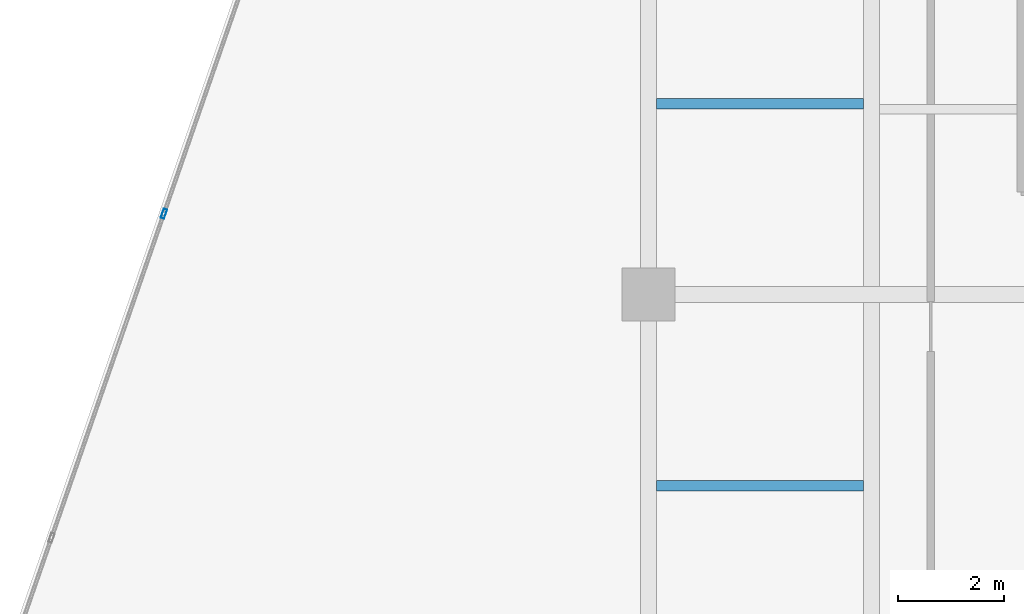
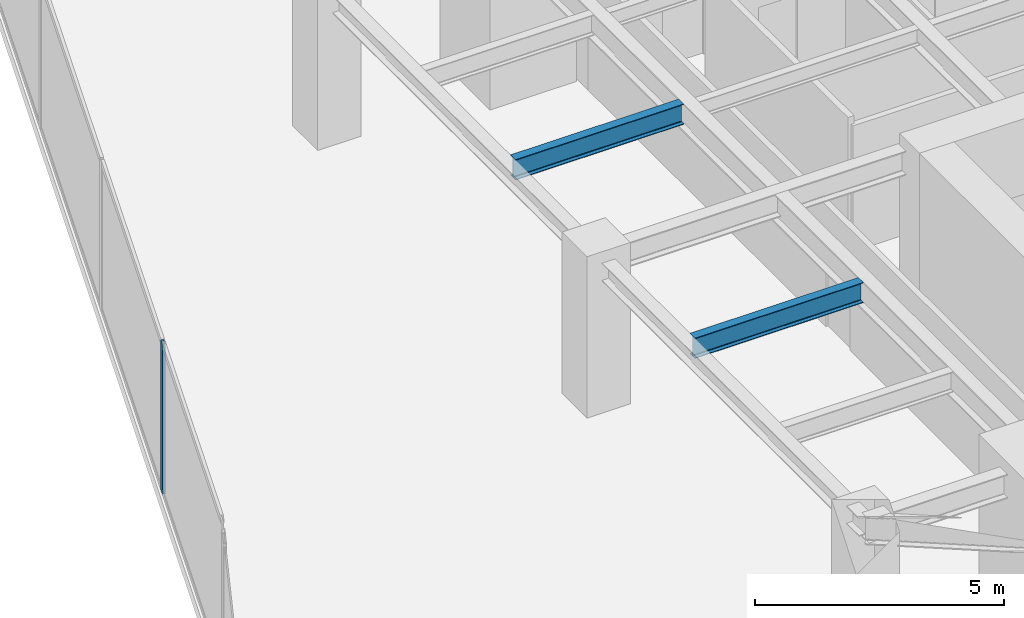
# One storey, part 8 of 27: 2 beams, 1 member, 1 element without a shape of its own.
"""IFC4 building model written with IfcOpenShell, lengths in metres."""

import ifcopenshell
import ifcopenshell.guid

model = None  # the IFC model being written
_history = None  # IfcOwnerHistory: only IFC2X3 demands one
_inside = {}  # id of a spatial element -> (the spatial element, [elements in it])
_under = {}  # id of a project, library or spatial element -> (it, [spatial elements below it])
_declared = {}  # id of a project -> (the project, [libraries it declares])
_typed = {}  # id of a type object -> (the type object, [elements of that type])
_made_of = {}  # id of a material, layer set ... -> (it, [elements and type objects made of it])


def new_model(schema):
    """Start an empty IFC model of exactly this schema.

    Asked for "IFC4X3", IfcOpenShell would pick the latest addendum, in which some entities
    have other attributes; the version numbers below select the first issue.
    IFC2X3 requires an IfcOwnerHistory on every rooted entity: one is made here for all.
    """
    global model, _history
    if schema == "IFC4X3":
        model = ifcopenshell.file(schema_version=(4, 3, 0, 0))
    else:
        model = ifcopenshell.file(schema=schema)
    _inside.clear()
    _under.clear()
    _declared.clear()
    _typed.clear()
    _made_of.clear()
    _history = None
    if model.schema == "IFC2X3":
        org = make("IfcOrganization", Name="unknown")
        user = make(
            "IfcPersonAndOrganization",
            ThePerson=make("IfcPerson", FamilyName="unknown"),
            TheOrganization=org,
        )
        app = make(
            "IfcApplication",
            ApplicationDeveloper=org,
            Version="unknown",
            ApplicationFullName="unknown",
            ApplicationIdentifier="unknown",
        )
        _history = make(
            "IfcOwnerHistory",
            OwningUser=user,
            OwningApplication=app,
            ChangeAction="ADDED",
            CreationDate=0,
        )
    return model


def make(cls, **values):
    """One entity of the class cls with the attributes given. An attribute that is None is left unset."""
    return model.create_entity(
        cls, **{name: value for name, value in values.items() if value is not None}
    )


def rooted(cls, **values):
    """An entity with a GlobalId (a new one), such as an element, a storey or a relation."""
    return make(cls, GlobalId=ifcopenshell.guid.new(), OwnerHistory=_history, **values)


def si_unit(unit_type, name, prefix=None):
    """IfcSIUnit, for example si_unit("LENGTHUNIT", "METRE", prefix="MILLI")."""
    return make("IfcSIUnit", UnitType=unit_type, Prefix=prefix, Name=name)


def assignment(units):
    """IfcUnitAssignment: the units of a project."""
    return None if units is None else make("IfcUnitAssignment", Units=units)


def point(xyz):
    """IfcCartesianPoint."""
    return None if xyz is None else make("IfcCartesianPoint", Coordinates=xyz)


def direction(xyz):
    """IfcDirection."""
    return None if xyz is None else make("IfcDirection", DirectionRatios=xyz)


def frame(location, z_axis=None, x_axis=None):
    """IfcAxis2Placement3D, a coordinate frame: its origin and axes. An axis left out is left unset."""
    return make(
        "IfcAxis2Placement3D",
        Location=point(location),
        Axis=direction(z_axis),
        RefDirection=direction(x_axis),
    )


def frame_2d(location, x_axis=None):
    """IfcAxis2Placement2D, a coordinate frame in the plane: its origin and x axis."""
    return make(
        "IfcAxis2Placement2D", Location=point(location), RefDirection=direction(x_axis)
    )


def origin():
    """The frame at (0, 0, 0) with its axes left unset."""
    return frame((0.0, 0.0, 0.0))


def origin_2d():
    """The frame at (0, 0) in the plane with its x axis left unset."""
    return frame_2d((0.0, 0.0))


def place(relative_to, where):
    """IfcLocalPlacement: puts the frame where relative to a parent placement (None: the world)."""
    return make(
        "IfcLocalPlacement", PlacementRelTo=relative_to, RelativePlacement=where
    )


def context(
    kind, dimensions, precision=None, world=None, true_north=None, identifier=None
):
    """IfcGeometricRepresentationContext, for example the 3D "Model" context."""
    return make(
        "IfcGeometricRepresentationContext",
        ContextIdentifier=identifier,
        ContextType=kind,
        CoordinateSpaceDimension=dimensions,
        Precision=precision,
        WorldCoordinateSystem=world,
        TrueNorth=true_north,
    )


def subcontext(parent, identifier, kind, view, scale=None):
    """IfcGeometricRepresentationSubContext, for example "Body" below "Model"."""
    return make(
        "IfcGeometricRepresentationSubContext",
        ContextIdentifier=identifier,
        ContextType=kind,
        ParentContext=parent,
        TargetScale=scale,
        TargetView=view,
    )


def project(units=None, contexts=None):
    """IfcProject with its units and contexts."""
    return rooted(
        "IfcProject",
        Name="project",
        RepresentationContexts=contexts,
        UnitsInContext=assignment(units),
    )


def spatial(cls, under=None, at=None, **own):
    """A site, building, storey or space (cls), placed at a placement, below another one or the project."""
    s = rooted(cls, ObjectPlacement=at, **own)
    if under is not None:
        _under.setdefault(under.id(), (under, []))[1].append(s)
    return s


def profile(cls, at=None, kind="AREA", **sizes):
    """A parametric profile (cls). Its sizes go by their IFC names, for example OverallWidth=200.0."""
    return make(cls, ProfileType=kind, Position=at, **sizes)


def hollow_rectangle(**sizes):
    """IfcRectangleHollowProfileDef."""
    return profile("IfcRectangleHollowProfileDef", **sizes)


def i_section(**sizes):
    """IfcIShapeProfileDef."""
    return profile("IfcIShapeProfileDef", **sizes)


def extrude(swept, where, along, depth):
    """IfcExtrudedAreaSolid: the profile swept, set in the frame where, extruded along a direction by depth."""
    return make(
        "IfcExtrudedAreaSolid",
        SweptArea=swept,
        Position=where,
        ExtrudedDirection=direction(along),
        Depth=depth,
    )


def shape(context_of_items, identifier, shape_type, items):
    """IfcShapeRepresentation: the items that make up one representation, for example the "Body"."""
    return make(
        "IfcShapeRepresentation",
        ContextOfItems=context_of_items,
        RepresentationIdentifier=identifier,
        RepresentationType=shape_type,
        Items=items,
    )


def source(mapping_origin, context_of_items, identifier, shape_type, items):
    """IfcRepresentationMap: a shape defined once, which mapped items show again and again."""
    return make(
        "IfcRepresentationMap",
        MappingOrigin=mapping_origin,
        MappedRepresentation=shape(context_of_items, identifier, shape_type, items),
    )


def transform(
    local_origin,
    x_axis=None,
    y_axis=None,
    z_axis=None,
    scale=None,
    scale2=None,
    scale3=None,
    uniform=True,
):
    """IfcCartesianTransformationOperator3D, or its non-uniform kind. x_axis, y_axis, z_axis: its Axis1, 2, 3."""
    if uniform:
        return make(
            "IfcCartesianTransformationOperator3D",
            Axis1=direction(x_axis),
            Axis2=direction(y_axis),
            LocalOrigin=point(local_origin),
            Scale=scale,
            Axis3=direction(z_axis),
        )
    return make(
        "IfcCartesianTransformationOperator3DnonUniform",
        Axis1=direction(x_axis),
        Axis2=direction(y_axis),
        LocalOrigin=point(local_origin),
        Scale=scale,
        Axis3=direction(z_axis),
        Scale2=scale2,
        Scale3=scale3,
    )


def mapped(mapping_source, mapping_target):
    """IfcMappedItem: shows the shape of a source again, moved by a transform."""
    return make(
        "IfcMappedItem", MappingSource=mapping_source, MappingTarget=mapping_target
    )


def material(Name=None, Category=None):
    """IfcMaterial."""
    return make("IfcMaterial", Name=Name, Category=Category)


def material_profile(
    of_material, cross_section, Name=None, Category=None, Priority=None
):
    """IfcMaterialProfile: a cross section and its material."""
    return make(
        "IfcMaterialProfile",
        Name=Name,
        Material=of_material,
        Profile=cross_section,
        Priority=Priority,
        Category=Category,
    )


def profile_set(profiles, Name=None, composite=None):
    """IfcMaterialProfileSet."""
    return make(
        "IfcMaterialProfileSet",
        Name=Name,
        MaterialProfiles=profiles,
        CompositeProfile=composite,
    )


def made_of(thing, what):
    """Note that an element or type object is made of a material, layer set ...; save() writes the relation."""
    if what is not None:
        _made_of.setdefault(what.id(), (what, []))[1].append(thing)
    return thing


def type_object(cls, material=None, **own):
    """A type object (cls), such as IfcWallType, which elements share."""
    return made_of(rooted(cls, **own), material)


def type_shapes(of_type, sources):
    """Give a type object the sources (RepresentationMaps) that its elements show as mapped items."""
    of_type.RepresentationMaps = sources


def element(
    cls,
    number,
    at=None,
    inside=None,
    cuts=None,
    type_object=None,
    material=None,
    context=None,
    identifier="Body",
    shape_type=None,
    held_by="IfcProductDefinitionShape",
    body=None,
    shapes=None,
    **own,
):
    """One element of the class cls, such as IfcWall. Its Tag is "e" and its number.

    at: its placement. inside: the storey or other place that contains it. cuts: it is an
    opening in that element (IfcRelVoidsElement). A single representation is given by context,
    identifier, shape_type and body (its items); several are given by shapes. held_by: the class
    of the entity that holds the representations. save() writes the other relations.
    """
    e = rooted(cls, Tag="e%d" % number, ObjectPlacement=at, **own)
    if body is not None:
        shapes = [shape(context, identifier, shape_type, body)]
    if shapes is not None:
        e.Representation = make(held_by, Representations=shapes)
    if inside is not None:
        _inside.setdefault(inside.id(), (inside, []))[1].append(e)
    if cuts is not None:
        rooted(
            "IfcRelVoidsElement", RelatingBuildingElement=cuts, RelatedOpeningElement=e
        )
    if type_object is not None:
        _typed.setdefault(type_object.id(), (type_object, []))[1].append(e)
    return made_of(e, material)


def aggregate(whole, parts):
    """IfcRelAggregates: a whole, such as a stair, and the parts it consists of."""
    return rooted("IfcRelAggregates", RelatingObject=whole, RelatedObjects=parts)


def save(model, path):
    """Write the relations noted so far, then the file.

    IfcRelAggregates (storeys below a building ...), IfcRelContainedInSpatialStructure (elements
    in a storey), IfcRelDefinesByType, IfcRelAssociatesMaterial and IfcRelDeclares: one each for
    every whole, place, type object, material and project.
    """
    for whole, parts in _under.values():
        aggregate(whole, parts)
    for where, things in _inside.values():
        rooted(
            "IfcRelContainedInSpatialStructure",
            RelatedElements=things,
            RelatingStructure=where,
        )
    for kind, things in _typed.values():
        rooted("IfcRelDefinesByType", RelatedObjects=things, RelatingType=kind)
    for what, things in _made_of.values():
        rooted("IfcRelAssociatesMaterial", RelatedObjects=things, RelatingMaterial=what)
    for by, libraries in _declared.values():
        rooted("IfcRelDeclares", RelatingContext=by, RelatedDefinitions=libraries)
    model.write(path)


model = new_model("IFC4")

# Units and contexts
model_context = context("Model", 3, precision=1e-05, world=origin(), true_north=direction((0.0, 1.0)))
body_context = subcontext(model_context, "Body", "Model", "MODEL_VIEW")
ifc_project = project(units=[si_unit("LENGTHUNIT", "METRE"), si_unit("AREAUNIT", "SQUARE_METRE"), si_unit("VOLUMEUNIT", "CUBIC_METRE"), si_unit("PLANEANGLEUNIT", "RADIAN"), si_unit("MASSUNIT", "GRAM", prefix="KILO")], contexts=[model_context])

# Site, building, storey
site_placement = place(None, origin())
site = spatial("IfcSite", under=ifc_project, at=site_placement, CompositionType="ELEMENT")
building_placement = place(site_placement, origin())
building = spatial("IfcBuilding", under=site, at=building_placement, Name="Krantzveldt Concourse Tower", CompositionType="ELEMENT")
storey_placement = place(building_placement, frame((0.0, 0.0, 125.60009765625)))
storey = spatial("IfcBuildingStorey", under=building, at=storey_placement, Name="L30", CompositionType="ELEMENT", Elevation=125.60009765625)

# Beams
ifc_material_1 = material(Name="Steel S355JR", Category="steel")
ifc_material_profile_1 = material_profile(ifc_material_1, i_section(OverallWidth=0.199951171875, OverallDepth=0.5, WebThickness=0.01025390625, FlangeThickness=0.01611328125, FilletRadius=0.02099609375, at=origin_2d()), Name="Steel S355JR", Category="steel")
ifc_profile_set_1 = profile_set([ifc_material_profile_1], Name="Steel S355JR - IPE 500")
beam_type = type_object("IfcBeamType", Name="BM-J-IPE500", PredefinedType="JOIST", material=ifc_profile_set_1)
shared_shape_1 = source(origin(), body_context, "Body", "SweptSolid", [
    extrude(i_section(OverallWidth=0.199951171875, OverallDepth=0.5, WebThickness=0.01025390625, FlangeThickness=0.01611328125, FilletRadius=0.02099609375, at=origin_2d()), origin(), (0.0, 0.0, 1.0), 3.900146484375),
])
type_shapes(beam_type, [shared_shape_1])
for number, where, z_axis, x_axis, name in (
    (1, (21.14990234375, 23.10009765625, 3.419921875), (1.0, 0.0, 0.0), (0.0, 1.0, 0.0), "L30 Secondary Floor Joist JW-2"),
    (2, (21.14990234375, 30.300048828125, 3.419921875), (1.0, 0.0, 0.0), (0.0, 1.0, 0.0), "L30 Secondary Floor Joist JW-3"),
):
    element("IfcBeam", number, at=place(storey_placement, frame(where, z_axis=z_axis, x_axis=x_axis)), inside=storey, type_object=beam_type, Name=name, PredefinedType="JOIST", context=body_context, shape_type="MappedRepresentation", body=[
        mapped(shared_shape_1, transform((0.0, 0.0, 0.0), x_axis=(1.0, 0.0, 0.0), y_axis=(0.0, 1.0, 0.0), z_axis=(0.0, 0.0, 1.0), scale=1.0)),
    ])

# Curtain wall, member
ifc_material_2 = material(Name="Anodised aluminium 6063-T6", Category="aluminium")
curtain_wall_type = type_object("IfcCurtainWallType", Name="CW2", PredefinedType="USERDEFINED", material=ifc_material_2)
curtain_wall_placement = place(storey_placement, origin())
curtain_wall = element("IfcCurtainWall", 3, at=curtain_wall_placement, inside=storey, type_object=curtain_wall_type, Name="CW-L30-F01", ObjectType="UNITISED CURTAIN WALL", PredefinedType="USERDEFINED")
ifc_material_profile_2 = material_profile(ifc_material_2, hollow_rectangle(XDim=0.070068359375, YDim=0.179931640625, WallThickness=0.0048828125, at=origin_2d()), Name="Anodised aluminium 6063-T6", Category="aluminium")
ifc_profile_set_2 = profile_set([ifc_material_profile_2], Name="Anodised aluminium 6063-T6 - ALU-MULL 180x70x5")
member_type = type_object("IfcMemberType", Name="CW-MUL-180", PredefinedType="MULLION", material=ifc_profile_set_2)
shared_shape_2 = source(origin(), body_context, "Body", "SweptSolid", [
    extrude(hollow_rectangle(XDim=0.070068359375, YDim=0.179931640625, WallThickness=0.0048828125, at=origin_2d()), origin(), (0.0, 0.0, 1.0), 3.669921875),
])
type_shapes(member_type, [shared_shape_2])
member_placement = place(storey_placement, frame((11.85791015625, 28.227294921875, 0.0), z_axis=(0.0, 0.0, 1.0), x_axis=(0.944806041446, -0.32763019404, 0.0)))
member = element("IfcMember", 4, at=member_placement, type_object=member_type, Name="CW-Z12 mullion 5", PredefinedType="MULLION", context=body_context, shape_type="MappedRepresentation", body=[
    mapped(shared_shape_2, transform((0.0, 0.0, 0.0), x_axis=(1.0, 0.0, 0.0), y_axis=(0.0, 1.0, 0.0), z_axis=(0.0, 0.0, 1.0), scale=1.0)),
])
aggregate(curtain_wall, [member])

save(model, "model.ifc")
